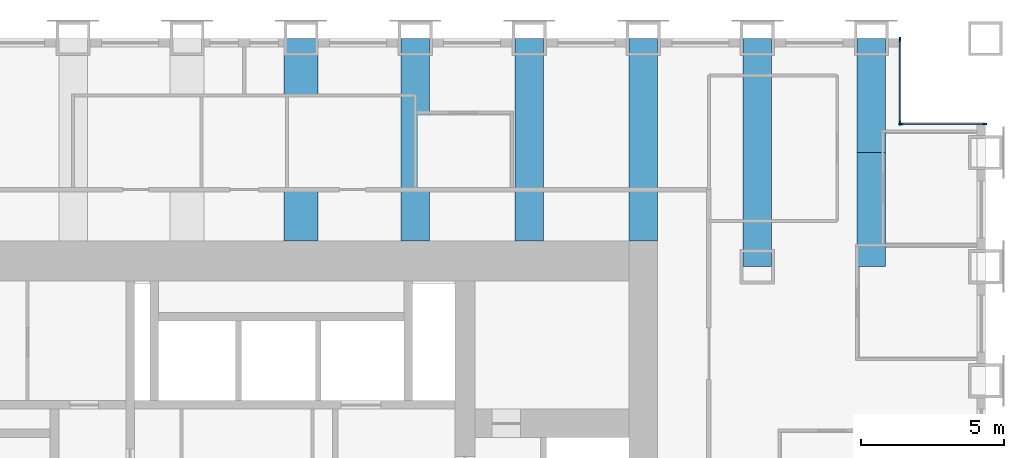
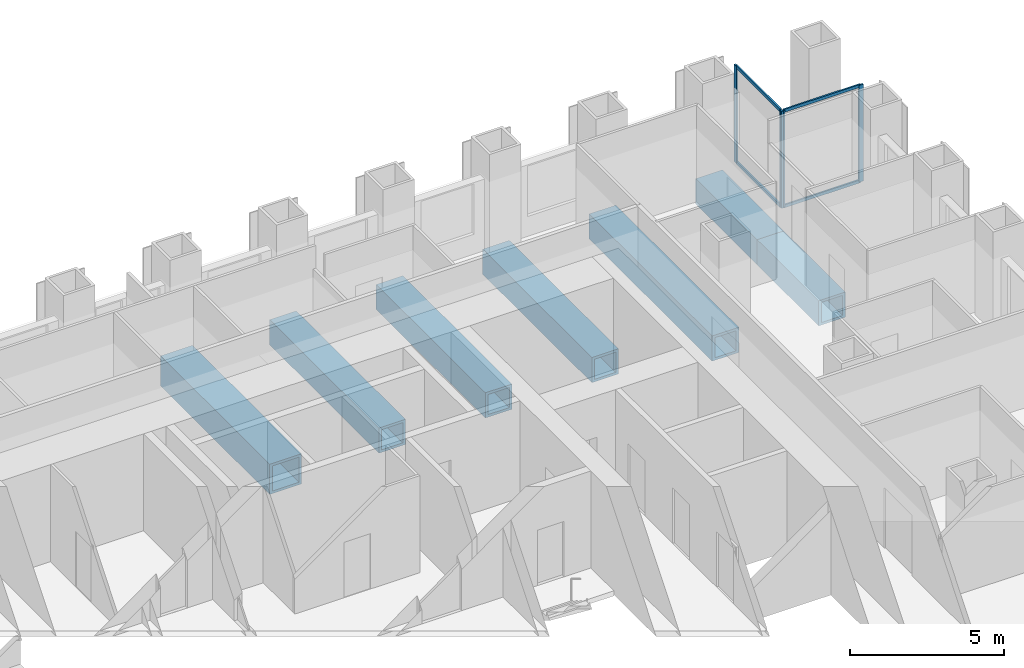
# One storey, part 6 of 14: 8 members, 7 beams, 2 elements without a shape of their own.
"""IFC4 building model written with IfcOpenShell, lengths in metres."""

from ifc_helpers import new_model, si_unit, direction, frame, origin, origin_2d, place, context, subcontext, project, spatial, rectangle, hollow_rectangle, extrude, material, material_profile, profile_set, type_object, element, aggregate, save


model = new_model("IFC4")

# Units and contexts
model_context = context("Model", 3, precision=1e-05, world=origin(), true_north=direction((0.0, 1.0)))
body_context = subcontext(model_context, "Body", "Model", "MODEL_VIEW")
ifc_project = project(units=[si_unit("LENGTHUNIT", "METRE"), si_unit("AREAUNIT", "SQUARE_METRE"), si_unit("VOLUMEUNIT", "CUBIC_METRE"), si_unit("PLANEANGLEUNIT", "RADIAN"), si_unit("MASSUNIT", "GRAM", prefix="KILO")], contexts=[model_context])

# Site, building, storey
site_placement = place(None, origin())
site = spatial("IfcSite", under=ifc_project, at=site_placement, CompositionType="ELEMENT")
building_placement = place(site_placement, origin())
building = spatial("IfcBuilding", under=site, at=building_placement, Name="Rimbunsela Tower", CompositionType="ELEMENT")
storey_placement = place(building_placement, frame((0.0, 0.0, 15.0)))
storey = spatial("IfcBuildingStorey", under=building, at=storey_placement, Name="L03", CompositionType="ELEMENT", Elevation=15.0)

# Beams
ifc_material_1 = material(Name="Steel BJ 55 (fy 410 MPa)", Category="steel")
ifc_material_profile_1 = material_profile(ifc_material_1, hollow_rectangle(XDim=1.0, YDim=1.0, WallThickness=0.10009765625, at=origin_2d()), Name="BOX 1000x1000x100")
ifc_profile_set_1 = profile_set([ifc_material_profile_1], Name="Steel BJ 55 (fy 410 MPa)")
beam_type_1 = type_object("IfcBeamType", Name="Beam BOX 1000x1000x100", PredefinedType="BEAM", material=ifc_profile_set_1)
for number, where, z_axis, x_axis, name in (
    (1, (34.0, 36.89990234375, -0.64990234375), (0.0, 1.0, 0.0), (-1.0, 0.0, 0.0), "Beam B3 L03"),
    (2, (38.0, 36.89990234375, -0.64990234375), (0.0, 1.0, 0.0), (-1.0, 0.0, 0.0), "Beam B3 L03"),
    (3, (42.0, 36.89990234375, -0.64990234375), (0.0, 1.0, 0.0), (-1.0, 0.0, 0.0), "Beam B3 L03"),
):
    element("IfcBeam", number, at=place(storey_placement, frame(where, z_axis=z_axis, x_axis=x_axis)), inside=storey, type_object=beam_type_1, Name=name, PredefinedType="BEAM", context=body_context, shape_type="SweptSolid", body=[
        extrude(hollow_rectangle(XDim=1.0, YDim=1.0, WallThickness=0.10009765625, at=origin_2d()), origin(), (0.0, 0.0, 1.0), 7.10009765625),
    ])
beam_1_placement = place(storey_placement, frame((46.0, 36.0, -0.64990234375), z_axis=(0.0, 1.0, 0.0), x_axis=(-1.0, 0.0, 0.0)))
element("IfcBeam", 4, at=beam_1_placement, inside=storey, type_object=beam_type_1, Name="Beam B3 L03", PredefinedType="BEAM", context=body_context, shape_type="SweptSolid", body=[
    extrude(hollow_rectangle(XDim=1.0, YDim=1.0, WallThickness=0.10009765625, at=origin_2d()), origin(), (0.0, 0.0, 1.0), 8.0),
])
for number, where, z_axis, x_axis, name in (
    (5, (50.0, 36.0, -0.64990234375), (0.0, 1.0, 0.0), (-1.0, 0.0, 0.0), "Beam B3 L03"),
    (6, (50.0, 40.0, -0.64990234375), (0.0, 1.0, 0.0), (-1.0, 0.0, 0.0), "Beam B3 L03"),
):
    element("IfcBeam", number, at=place(storey_placement, frame(where, z_axis=z_axis, x_axis=x_axis)), inside=storey, type_object=beam_type_1, Name=name, PredefinedType="BEAM", context=body_context, shape_type="SweptSolid", body=[
        extrude(hollow_rectangle(XDim=1.0, YDim=1.0, WallThickness=0.10009765625, at=origin_2d()), origin(), (0.0, 0.0, 1.0), 4.0),
    ])
ifc_material_2 = material(Name="Steel BJ 55 (fy 410 MPa)", Category="steel")
ifc_material_profile_2 = material_profile(ifc_material_2, hollow_rectangle(XDim=1.199951171875, YDim=1.199951171875, WallThickness=0.10009765625, at=origin_2d()), Name="BOX 1200x1200x100")
ifc_profile_set_2 = profile_set([ifc_material_profile_2], Name="Steel BJ 55 (fy 410 MPa)")
beam_type_2 = type_object("IfcBeamType", Name="Beam BOX 1200x1200x100", PredefinedType="BEAM", material=ifc_profile_set_2)
beam_2_placement = place(storey_placement, frame((30.0, 36.89990234375, -0.75), z_axis=(0.0, 1.0, 0.0), x_axis=(-1.0, 0.0, 0.0)))
element("IfcBeam", 7, at=beam_2_placement, inside=storey, type_object=beam_type_2, Name="Beam B5 L03", PredefinedType="BEAM", context=body_context, shape_type="SweptSolid", body=[
    extrude(hollow_rectangle(XDim=1.199951171875, YDim=1.199951171875, WallThickness=0.10009765625, at=origin_2d()), origin(), (0.0, 0.0, 1.0), 7.10009765625),
])

# Curtain wall, members
ifc_material_3 = material(Name="Aluminium curtain wall", Category="aluminium")
curtain_wall_type = type_object("IfcCurtainWallType", Name="Corner glazing", PredefinedType="USERDEFINED", material=ifc_material_3)
curtain_wall_1_placement = place(storey_placement, origin())
curtain_wall_1 = element("IfcCurtainWall", 8, at=curtain_wall_1_placement, inside=storey, type_object=curtain_wall_type, Name="Corner glazing L03", ObjectType="CORNER GLAZING", PredefinedType="USERDEFINED")
ifc_material_4 = material(Name="Aluminium mullion", Category="aluminium")
ifc_material_profile_3 = material_profile(ifc_material_4, rectangle(XDim=0.06005859375, YDim=0.159912109375, at=origin_2d()), Name="Mullion 60x160")
ifc_profile_set_3 = profile_set([ifc_material_profile_3], Name="Aluminium mullion")
member_type_1 = type_object("IfcMemberType", Name="Curtain wall mullion 60x160", PredefinedType="MULLION", material=ifc_profile_set_3)
member_1_placement = place(storey_placement, frame((53.969970703125, 41.0, 0.0), z_axis=(0.0, 0.0, 1.0), x_axis=(0.0, -1.0, 0.0)))
member_1 = element("IfcMember", 9, at=member_1_placement, type_object=member_type_1, Name="CW5 mullion 1", PredefinedType="MULLION", context=body_context, shape_type="SweptSolid", body=[
    extrude(rectangle(XDim=0.06005859375, YDim=0.159912109375, at=origin_2d()), origin(), (0.0, 0.0, 1.0), 3.85009765625),
])
member_2_placement = place(storey_placement, frame((51.030029296875, 41.0, 0.0), z_axis=(0.0, 0.0, 1.0), x_axis=(0.0, -1.0, 0.0)))
member_2 = element("IfcMember", 10, at=member_2_placement, type_object=member_type_1, Name="CW5 mullion 2", PredefinedType="MULLION", context=body_context, shape_type="SweptSolid", body=[
    extrude(rectangle(XDim=0.06005859375, YDim=0.159912109375, at=origin_2d()), origin(), (0.0, 0.0, 1.0), 3.85009765625),
])

curtain_wall_2_placement = place(storey_placement, origin())
curtain_wall_2 = element("IfcCurtainWall", 11, at=curtain_wall_2_placement, inside=storey, type_object=curtain_wall_type, Name="Corner glazing L03", ObjectType="CORNER GLAZING", PredefinedType="USERDEFINED")
member_3_placement = place(storey_placement, frame((51.0, 41.030029296875, 0.0), z_axis=(0.0, 0.0, 1.0), x_axis=(-1.0, 0.0, 0.0)))
member_3 = element("IfcMember", 12, at=member_3_placement, type_object=member_type_1, Name="CW5 mullion 1", PredefinedType="MULLION", context=body_context, shape_type="SweptSolid", body=[
    extrude(rectangle(XDim=0.06005859375, YDim=0.159912109375, at=origin_2d()), origin(), (0.0, 0.0, 1.0), 3.85009765625),
])
member_4_placement = place(storey_placement, frame((51.0, 43.969970703125, 0.0), z_axis=(0.0, 0.0, 1.0), x_axis=(-1.0, 0.0, 0.0)))
member_4 = element("IfcMember", 13, at=member_4_placement, type_object=member_type_1, Name="CW5 mullion 2", PredefinedType="MULLION", context=body_context, shape_type="SweptSolid", body=[
    extrude(rectangle(XDim=0.06005859375, YDim=0.159912109375, at=origin_2d()), origin(), (0.0, 0.0, 1.0), 3.85009765625),
])

# Member
ifc_material_5 = material(Name="Aluminium transom", Category="aluminium")
ifc_material_profile_4 = material_profile(ifc_material_5, rectangle(XDim=0.06005859375, YDim=0.1201171875, at=origin_2d()), Name="Transom 60x120")
ifc_profile_set_4 = profile_set([ifc_material_profile_4], Name="Aluminium transom")
member_type_2 = type_object("IfcMemberType", Name="Curtain wall transom 60x120", PredefinedType="USERDEFINED", material=ifc_profile_set_4)
member_5_placement = place(storey_placement, frame((53.93994140625, 41.0, 0.030029296875), z_axis=(-1.0, 0.0, 0.0), x_axis=(0.0, -1.0, 0.0)))
member_5 = element("IfcMember", 14, at=member_5_placement, type_object=member_type_2, Name="CW5 transom 1.1", ObjectType="TRANSOM", PredefinedType="USERDEFINED", context=body_context, shape_type="SweptSolid", body=[
    extrude(rectangle(XDim=0.06005859375, YDim=0.1201171875, at=origin_2d()), origin(), (0.0, 0.0, 1.0), 2.8798828125),
])

member_6_placement = place(storey_placement, frame((53.93994140625, 41.0, 3.820068359375), z_axis=(-1.0, 0.0, 0.0), x_axis=(0.0, -1.0, 0.0)))
member_6 = element("IfcMember", 15, at=member_6_placement, type_object=member_type_2, Name="CW5 transom 1.2", ObjectType="TRANSOM", PredefinedType="USERDEFINED", context=body_context, shape_type="SweptSolid", body=[
    extrude(rectangle(XDim=0.06005859375, YDim=0.1201171875, at=origin_2d()), origin(), (0.0, 0.0, 1.0), 2.8798828125),
])

aggregate(curtain_wall_1, [member_1, member_2, member_5, member_6])

member_7_placement = place(storey_placement, frame((51.0, 41.06005859375, 0.030029296875), z_axis=(0.0, 1.0, 0.0), x_axis=(-1.0, 0.0, 0.0)))
member_7 = element("IfcMember", 16, at=member_7_placement, type_object=member_type_2, Name="CW5 transom 1.1", ObjectType="TRANSOM", PredefinedType="USERDEFINED", context=body_context, shape_type="SweptSolid", body=[
    extrude(rectangle(XDim=0.06005859375, YDim=0.1201171875, at=origin_2d()), origin(), (0.0, 0.0, 1.0), 2.8798828125),
])

member_8_placement = place(storey_placement, frame((51.0, 41.06005859375, 3.820068359375), z_axis=(0.0, 1.0, 0.0), x_axis=(-1.0, 0.0, 0.0)))
member_8 = element("IfcMember", 17, at=member_8_placement, type_object=member_type_2, Name="CW5 transom 1.2", ObjectType="TRANSOM", PredefinedType="USERDEFINED", context=body_context, shape_type="SweptSolid", body=[
    extrude(rectangle(XDim=0.06005859375, YDim=0.1201171875, at=origin_2d()), origin(), (0.0, 0.0, 1.0), 2.8798828125),
])

aggregate(curtain_wall_2, [member_3, member_4, member_7, member_8])

save(model, "model.ifc")
